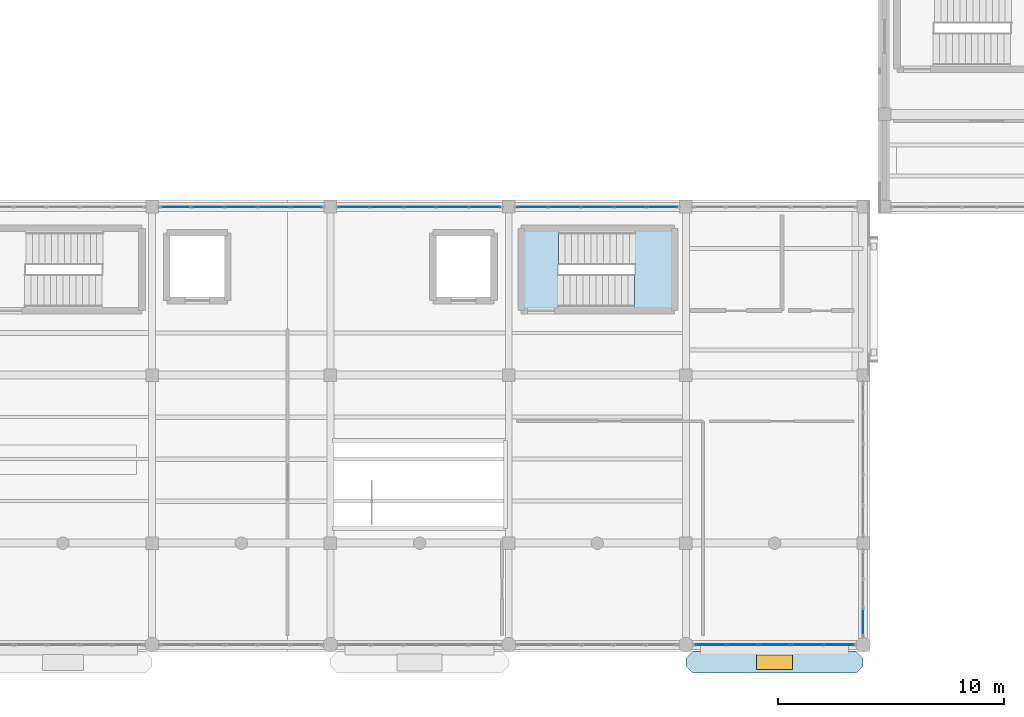
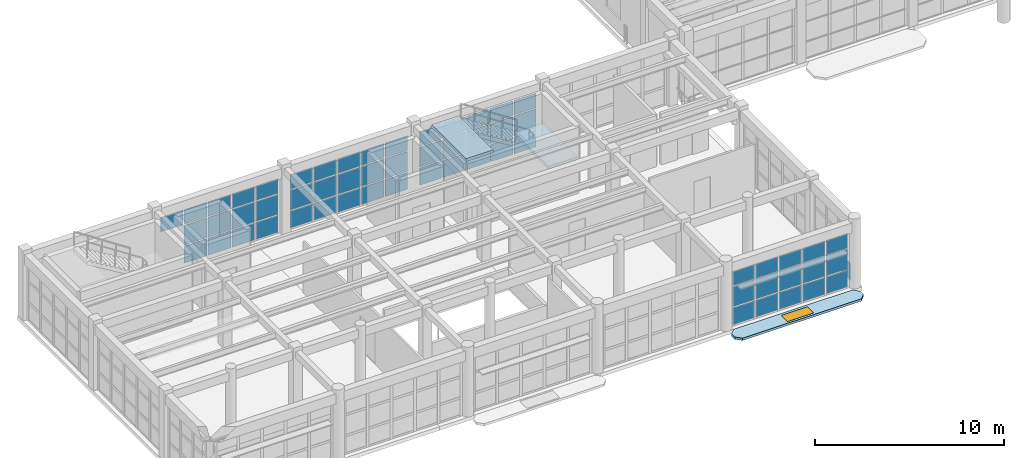
# One storey, part 51 of 85: 59 plates, 3 slabs, 1 window, 1 opening, 6 elements without a shape of their own.
"""IFC4 building model written with IfcOpenShell, lengths in metres."""

from ifc_helpers import new_model, si_unit, direction, frame, origin, origin_2d, place, context, subcontext, project, spatial, polyline, rectangle, outline, extrude, material, layer, layer_set, type_object, element, fill, aggregate, save


model = new_model("IFC4")

# Units and contexts
model_context = context("Model", 3, precision=1e-05, world=origin(), true_north=direction((0.0, 1.0)))
body_context = subcontext(model_context, "Body", "Model", "MODEL_VIEW")
ifc_project = project(units=[si_unit("LENGTHUNIT", "METRE"), si_unit("AREAUNIT", "SQUARE_METRE"), si_unit("VOLUMEUNIT", "CUBIC_METRE"), si_unit("PLANEANGLEUNIT", "RADIAN"), si_unit("MASSUNIT", "GRAM", prefix="KILO")], contexts=[model_context])

# Site, building, storey
site_placement = place(None, origin())
site = spatial("IfcSite", under=ifc_project, at=site_placement, CompositionType="ELEMENT")
building_placement = place(site_placement, origin())
building = spatial("IfcBuilding", under=site, at=building_placement, Name="Candilejo Ridge Gondola Terminal", CompositionType="ELEMENT")
storey_placement = place(building_placement, frame((0.0, 0.0, 4.5)))
storey = spatial("IfcBuildingStorey", under=building, at=storey_placement, Name="L01", CompositionType="ELEMENT", Elevation=4.5)

# Curtain wall, plates
ifc_material_1 = material(Name="Anodised aluminium AA 6063-T6", Category="aluminium")
ifc_layer_1 = layer(ifc_material_1, 0.169921875)
ifc_layer_set_1 = layer_set([ifc_layer_1], Name="ARC-CW-CONCOURSE-3600-730X359")
curtain_wall_type_1 = type_object("IfcCurtainWallType", Name="ARC-CW-CONCOURSE-3600-730X359", PredefinedType="NOTDEFINED", material=ifc_layer_set_1)
curtain_wall_1_placement = place(storey_placement, origin())
curtain_wall_1 = element("IfcCurtainWall", 1, at=curtain_wall_1_placement, inside=storey, type_object=curtain_wall_type_1, Name="Curtain wall V1 L01-006", PredefinedType="NOTDEFINED")
ifc_material_2 = material(Name="Low-E laminated double glazing 6+12A+6+1.52PVB+6 mm", Category="glass")
ifc_layer_2 = layer(ifc_material_2, 0.028076171875)
ifc_layer_set_2 = layer_set([ifc_layer_2], Name="ARC-CW-GLAZ-PANEL")
plate_type = type_object("IfcPlateType", Name="ARC-CW-GLAZ-PANEL", PredefinedType="CURTAIN_PANEL", material=ifc_layer_set_2)
plate_1_placement = place(storey_placement, frame((13.248779296875, 25.699951171875, 2.58740234375), z_axis=(0.0, 0.0, 1.0), x_axis=(1.0, 0.0, 0.0)))
plate_1 = element("IfcPlate", 2, at=plate_1_placement, type_object=plate_type, Name="CW-73X35 panel 1.3", PredefinedType="CURTAIN_PANEL", context=body_context, shape_type="SweptSolid", body=[
    extrude(rectangle(XDim=1.347412109375, YDim=0.028076171875, at=origin_2d()), origin(), (0.0, 0.0, 1.0), 0.927490234375),
])
plate_2_placement = place(storey_placement, frame((14.68994140625, 25.699951171875, 0.074951171875), z_axis=(0.0, 0.0, 1.0), x_axis=(1.0, 0.0, 0.0)))
plate_2 = element("IfcPlate", 3, at=plate_2_placement, type_object=plate_type, Name="CW-73X35 panel 2.1", PredefinedType="CURTAIN_PANEL", context=body_context, shape_type="SweptSolid", body=[
    extrude(rectangle(XDim=1.385009765625, YDim=0.028076171875, at=origin_2d()), origin(), (0.0, 0.0, 1.0), 1.08740234375),
])
plate_3_placement = place(storey_placement, frame((14.68994140625, 25.699951171875, 1.237548828125), z_axis=(0.0, 0.0, 1.0), x_axis=(1.0, 0.0, 0.0)))
plate_3 = element("IfcPlate", 4, at=plate_3_placement, type_object=plate_type, Name="CW-73X35 panel 2.2", PredefinedType="CURTAIN_PANEL", context=body_context, shape_type="SweptSolid", body=[
    extrude(rectangle(XDim=1.385009765625, YDim=0.028076171875, at=origin_2d()), origin(), (0.0, 0.0, 1.0), 1.27490234375),
])
plate_4_placement = place(storey_placement, frame((14.68994140625, 25.699951171875, 2.58740234375), z_axis=(0.0, 0.0, 1.0), x_axis=(1.0, 0.0, 0.0)))
plate_4 = element("IfcPlate", 5, at=plate_4_placement, type_object=plate_type, Name="CW-73X35 panel 2.3", PredefinedType="CURTAIN_PANEL", context=body_context, shape_type="SweptSolid", body=[
    extrude(rectangle(XDim=1.385009765625, YDim=0.028076171875, at=origin_2d()), origin(), (0.0, 0.0, 1.0), 0.927490234375),
])
plate_5_placement = place(storey_placement, frame((16.14990234375, 25.699951171875, 0.074951171875), z_axis=(0.0, 0.0, 1.0), x_axis=(1.0, 0.0, 0.0)))
plate_5 = element("IfcPlate", 6, at=plate_5_placement, type_object=plate_type, Name="CW-73X35 panel 3.1", PredefinedType="CURTAIN_PANEL", context=body_context, shape_type="SweptSolid", body=[
    extrude(rectangle(XDim=1.385009765625, YDim=0.028076171875, at=origin_2d()), origin(), (0.0, 0.0, 1.0), 1.08740234375),
])
plate_6_placement = place(storey_placement, frame((16.14990234375, 25.699951171875, 1.237548828125), z_axis=(0.0, 0.0, 1.0), x_axis=(1.0, 0.0, 0.0)))
plate_6 = element("IfcPlate", 7, at=plate_6_placement, type_object=plate_type, Name="CW-73X35 panel 3.2", PredefinedType="CURTAIN_PANEL", context=body_context, shape_type="SweptSolid", body=[
    extrude(rectangle(XDim=1.385009765625, YDim=0.028076171875, at=origin_2d()), origin(), (0.0, 0.0, 1.0), 1.27490234375),
])
plate_7_placement = place(storey_placement, frame((16.14990234375, 25.699951171875, 2.58740234375), z_axis=(0.0, 0.0, 1.0), x_axis=(1.0, 0.0, 0.0)))
plate_7 = element("IfcPlate", 8, at=plate_7_placement, type_object=plate_type, Name="CW-73X35 panel 3.3", PredefinedType="CURTAIN_PANEL", context=body_context, shape_type="SweptSolid", body=[
    extrude(rectangle(XDim=1.385009765625, YDim=0.028076171875, at=origin_2d()), origin(), (0.0, 0.0, 1.0), 0.927490234375),
])
plate_8_placement = place(storey_placement, frame((17.610107421875, 25.699951171875, 0.074951171875), z_axis=(0.0, 0.0, 1.0), x_axis=(1.0, 0.0, 0.0)))
plate_8 = element("IfcPlate", 9, at=plate_8_placement, type_object=plate_type, Name="CW-73X35 panel 4.1", PredefinedType="CURTAIN_PANEL", context=body_context, shape_type="SweptSolid", body=[
    extrude(rectangle(XDim=1.385009765625, YDim=0.028076171875, at=origin_2d()), origin(), (0.0, 0.0, 1.0), 1.08740234375),
])
plate_9_placement = place(storey_placement, frame((17.610107421875, 25.699951171875, 1.237548828125), z_axis=(0.0, 0.0, 1.0), x_axis=(1.0, 0.0, 0.0)))
plate_9 = element("IfcPlate", 10, at=plate_9_placement, type_object=plate_type, Name="CW-73X35 panel 4.2", PredefinedType="CURTAIN_PANEL", context=body_context, shape_type="SweptSolid", body=[
    extrude(rectangle(XDim=1.385009765625, YDim=0.028076171875, at=origin_2d()), origin(), (0.0, 0.0, 1.0), 1.27490234375),
])
plate_10_placement = place(storey_placement, frame((17.610107421875, 25.699951171875, 2.58740234375), z_axis=(0.0, 0.0, 1.0), x_axis=(1.0, 0.0, 0.0)))
plate_10 = element("IfcPlate", 11, at=plate_10_placement, type_object=plate_type, Name="CW-73X35 panel 4.3", PredefinedType="CURTAIN_PANEL", context=body_context, shape_type="SweptSolid", body=[
    extrude(rectangle(XDim=1.385009765625, YDim=0.028076171875, at=origin_2d()), origin(), (0.0, 0.0, 1.0), 0.927490234375),
])
plate_11_placement = place(storey_placement, frame((19.05126953125, 25.699951171875, 0.074951171875), z_axis=(0.0, 0.0, 1.0), x_axis=(1.0, 0.0, 0.0)))
plate_11 = element("IfcPlate", 12, at=plate_11_placement, type_object=plate_type, Name="CW-73X35 panel 5.1", PredefinedType="CURTAIN_PANEL", context=body_context, shape_type="SweptSolid", body=[
    extrude(rectangle(XDim=1.347412109375, YDim=0.028076171875, at=origin_2d()), origin(), (0.0, 0.0, 1.0), 1.08740234375),
])
plate_12_placement = place(storey_placement, frame((19.05126953125, 25.699951171875, 1.237548828125), z_axis=(0.0, 0.0, 1.0), x_axis=(1.0, 0.0, 0.0)))
plate_12 = element("IfcPlate", 13, at=plate_12_placement, type_object=plate_type, Name="CW-73X35 panel 5.2", PredefinedType="CURTAIN_PANEL", context=body_context, shape_type="SweptSolid", body=[
    extrude(rectangle(XDim=1.347412109375, YDim=0.028076171875, at=origin_2d()), origin(), (0.0, 0.0, 1.0), 1.27490234375),
])
plate_13_placement = place(storey_placement, frame((19.05126953125, 25.699951171875, 2.58740234375), z_axis=(0.0, 0.0, 1.0), x_axis=(1.0, 0.0, 0.0)))
plate_13 = element("IfcPlate", 14, at=plate_13_placement, type_object=plate_type, Name="CW-73X35 panel 5.3", PredefinedType="CURTAIN_PANEL", context=body_context, shape_type="SweptSolid", body=[
    extrude(rectangle(XDim=1.347412109375, YDim=0.028076171875, at=origin_2d()), origin(), (0.0, 0.0, 1.0), 0.927490234375),
])
aggregate(curtain_wall_1, [plate_1, plate_2, plate_3, plate_4, plate_5, plate_6, plate_7, plate_8, plate_9, plate_10, plate_11, plate_12, plate_13])

curtain_wall_2_placement = place(storey_placement, origin())
curtain_wall_2 = element("IfcCurtainWall", 15, at=curtain_wall_2_placement, inside=storey, type_object=curtain_wall_type_1, Name="Curtain wall V1 L01-010", PredefinedType="NOTDEFINED")
plate_14_placement = place(storey_placement, frame((21.148681640625, 25.699951171875, 0.074951171875), z_axis=(0.0, 0.0, 1.0), x_axis=(1.0, 0.0, 0.0)))
plate_14 = element("IfcPlate", 16, at=plate_14_placement, type_object=plate_type, Name="CW-73X35 panel 1.1", PredefinedType="CURTAIN_PANEL", context=body_context, shape_type="SweptSolid", body=[
    extrude(rectangle(XDim=1.347412109375, YDim=0.028076171875, at=origin_2d()), origin(), (0.0, 0.0, 1.0), 1.08740234375),
])
plate_15_placement = place(storey_placement, frame((21.148681640625, 25.699951171875, 1.237548828125), z_axis=(0.0, 0.0, 1.0), x_axis=(1.0, 0.0, 0.0)))
plate_15 = element("IfcPlate", 17, at=plate_15_placement, type_object=plate_type, Name="CW-73X35 panel 1.2", PredefinedType="CURTAIN_PANEL", context=body_context, shape_type="SweptSolid", body=[
    extrude(rectangle(XDim=1.347412109375, YDim=0.028076171875, at=origin_2d()), origin(), (0.0, 0.0, 1.0), 1.27490234375),
])
plate_16_placement = place(storey_placement, frame((21.148681640625, 25.699951171875, 2.58740234375), z_axis=(0.0, 0.0, 1.0), x_axis=(1.0, 0.0, 0.0)))
plate_16 = element("IfcPlate", 18, at=plate_16_placement, type_object=plate_type, Name="CW-73X35 panel 1.3", PredefinedType="CURTAIN_PANEL", context=body_context, shape_type="SweptSolid", body=[
    extrude(rectangle(XDim=1.347412109375, YDim=0.028076171875, at=origin_2d()), origin(), (0.0, 0.0, 1.0), 0.927490234375),
])
plate_17_placement = place(storey_placement, frame((22.590087890625, 25.699951171875, 0.074951171875), z_axis=(0.0, 0.0, 1.0), x_axis=(1.0, 0.0, 0.0)))
plate_17 = element("IfcPlate", 19, at=plate_17_placement, type_object=plate_type, Name="CW-73X35 panel 2.1", PredefinedType="CURTAIN_PANEL", context=body_context, shape_type="SweptSolid", body=[
    extrude(rectangle(XDim=1.385009765625, YDim=0.028076171875, at=origin_2d()), origin(), (0.0, 0.0, 1.0), 1.08740234375),
])
plate_18_placement = place(storey_placement, frame((22.590087890625, 25.699951171875, 1.237548828125), z_axis=(0.0, 0.0, 1.0), x_axis=(1.0, 0.0, 0.0)))
plate_18 = element("IfcPlate", 20, at=plate_18_placement, type_object=plate_type, Name="CW-73X35 panel 2.2", PredefinedType="CURTAIN_PANEL", context=body_context, shape_type="SweptSolid", body=[
    extrude(rectangle(XDim=1.385009765625, YDim=0.028076171875, at=origin_2d()), origin(), (0.0, 0.0, 1.0), 1.27490234375),
])
plate_19_placement = place(storey_placement, frame((22.590087890625, 25.699951171875, 2.58740234375), z_axis=(0.0, 0.0, 1.0), x_axis=(1.0, 0.0, 0.0)))
plate_19 = element("IfcPlate", 21, at=plate_19_placement, type_object=plate_type, Name="CW-73X35 panel 2.3", PredefinedType="CURTAIN_PANEL", context=body_context, shape_type="SweptSolid", body=[
    extrude(rectangle(XDim=1.385009765625, YDim=0.028076171875, at=origin_2d()), origin(), (0.0, 0.0, 1.0), 0.927490234375),
])
plate_20_placement = place(storey_placement, frame((24.050048828125, 25.699951171875, 0.074951171875), z_axis=(0.0, 0.0, 1.0), x_axis=(1.0, 0.0, 0.0)))
plate_20 = element("IfcPlate", 22, at=plate_20_placement, type_object=plate_type, Name="CW-73X35 panel 3.1", PredefinedType="CURTAIN_PANEL", context=body_context, shape_type="SweptSolid", body=[
    extrude(rectangle(XDim=1.385009765625, YDim=0.028076171875, at=origin_2d()), origin(), (0.0, 0.0, 1.0), 1.08740234375),
])
plate_21_placement = place(storey_placement, frame((24.050048828125, 25.699951171875, 1.237548828125), z_axis=(0.0, 0.0, 1.0), x_axis=(1.0, 0.0, 0.0)))
plate_21 = element("IfcPlate", 23, at=plate_21_placement, type_object=plate_type, Name="CW-73X35 panel 3.2", PredefinedType="CURTAIN_PANEL", context=body_context, shape_type="SweptSolid", body=[
    extrude(rectangle(XDim=1.385009765625, YDim=0.028076171875, at=origin_2d()), origin(), (0.0, 0.0, 1.0), 1.27490234375),
])
plate_22_placement = place(storey_placement, frame((24.050048828125, 25.699951171875, 2.58740234375), z_axis=(0.0, 0.0, 1.0), x_axis=(1.0, 0.0, 0.0)))
plate_22 = element("IfcPlate", 24, at=plate_22_placement, type_object=plate_type, Name="CW-73X35 panel 3.3", PredefinedType="CURTAIN_PANEL", context=body_context, shape_type="SweptSolid", body=[
    extrude(rectangle(XDim=1.385009765625, YDim=0.028076171875, at=origin_2d()), origin(), (0.0, 0.0, 1.0), 0.927490234375),
])
plate_23_placement = place(storey_placement, frame((25.510009765625, 25.699951171875, 0.074951171875), z_axis=(0.0, 0.0, 1.0), x_axis=(1.0, 0.0, 0.0)))
plate_23 = element("IfcPlate", 25, at=plate_23_placement, type_object=plate_type, Name="CW-73X35 panel 4.1", PredefinedType="CURTAIN_PANEL", context=body_context, shape_type="SweptSolid", body=[
    extrude(rectangle(XDim=1.385009765625, YDim=0.028076171875, at=origin_2d()), origin(), (0.0, 0.0, 1.0), 1.08740234375),
])
plate_24_placement = place(storey_placement, frame((25.510009765625, 25.699951171875, 1.237548828125), z_axis=(0.0, 0.0, 1.0), x_axis=(1.0, 0.0, 0.0)))
plate_24 = element("IfcPlate", 26, at=plate_24_placement, type_object=plate_type, Name="CW-73X35 panel 4.2", PredefinedType="CURTAIN_PANEL", context=body_context, shape_type="SweptSolid", body=[
    extrude(rectangle(XDim=1.385009765625, YDim=0.028076171875, at=origin_2d()), origin(), (0.0, 0.0, 1.0), 1.27490234375),
])
plate_25_placement = place(storey_placement, frame((25.510009765625, 25.699951171875, 2.58740234375), z_axis=(0.0, 0.0, 1.0), x_axis=(1.0, 0.0, 0.0)))
plate_25 = element("IfcPlate", 27, at=plate_25_placement, type_object=plate_type, Name="CW-73X35 panel 4.3", PredefinedType="CURTAIN_PANEL", context=body_context, shape_type="SweptSolid", body=[
    extrude(rectangle(XDim=1.385009765625, YDim=0.028076171875, at=origin_2d()), origin(), (0.0, 0.0, 1.0), 0.927490234375),
])
plate_26_placement = place(storey_placement, frame((26.951171875, 25.699951171875, 0.074951171875), z_axis=(0.0, 0.0, 1.0), x_axis=(1.0, 0.0, 0.0)))
plate_26 = element("IfcPlate", 28, at=plate_26_placement, type_object=plate_type, Name="CW-73X35 panel 5.1", PredefinedType="CURTAIN_PANEL", context=body_context, shape_type="SweptSolid", body=[
    extrude(rectangle(XDim=1.347412109375, YDim=0.028076171875, at=origin_2d()), origin(), (0.0, 0.0, 1.0), 1.08740234375),
])
plate_27_placement = place(storey_placement, frame((26.951171875, 25.699951171875, 1.237548828125), z_axis=(0.0, 0.0, 1.0), x_axis=(1.0, 0.0, 0.0)))
plate_27 = element("IfcPlate", 29, at=plate_27_placement, type_object=plate_type, Name="CW-73X35 panel 5.2", PredefinedType="CURTAIN_PANEL", context=body_context, shape_type="SweptSolid", body=[
    extrude(rectangle(XDim=1.347412109375, YDim=0.028076171875, at=origin_2d()), origin(), (0.0, 0.0, 1.0), 1.27490234375),
])
plate_28_placement = place(storey_placement, frame((26.951171875, 25.699951171875, 2.58740234375), z_axis=(0.0, 0.0, 1.0), x_axis=(1.0, 0.0, 0.0)))
plate_28 = element("IfcPlate", 30, at=plate_28_placement, type_object=plate_type, Name="CW-73X35 panel 5.3", PredefinedType="CURTAIN_PANEL", context=body_context, shape_type="SweptSolid", body=[
    extrude(rectangle(XDim=1.347412109375, YDim=0.028076171875, at=origin_2d()), origin(), (0.0, 0.0, 1.0), 0.927490234375),
])
aggregate(curtain_wall_2, [plate_14, plate_15, plate_16, plate_17, plate_18, plate_19, plate_20, plate_21, plate_22, plate_23, plate_24, plate_25, plate_26, plate_27, plate_28])

ifc_material_3 = material(Name="Anodised aluminium AA 6063-T6", Category="aluminium")
ifc_layer_3 = layer(ifc_material_3, 0.169921875)
ifc_layer_set_3 = layer_set([ifc_layer_3], Name="ARC-CW-CONCOURSE-3600-725X359")
curtain_wall_type_2 = type_object("IfcCurtainWallType", Name="ARC-CW-CONCOURSE-3600-725X359", PredefinedType="NOTDEFINED", material=ifc_layer_set_3)
curtain_wall_3_placement = place(storey_placement, origin())
curtain_wall_3 = element("IfcCurtainWall", 31, at=curtain_wall_3_placement, inside=storey, type_object=curtain_wall_type_2, Name="Curtain wall V1 L01-014", PredefinedType="NOTDEFINED")
plate_29_placement = place(storey_placement, frame((29.043701171875, 25.699951171875, 0.074951171875), z_axis=(0.0, 0.0, 1.0), x_axis=(1.0, 0.0, 0.0)))
plate_29 = element("IfcPlate", 32, at=plate_29_placement, type_object=plate_type, Name="CW-72X35 panel 1.1", PredefinedType="CURTAIN_PANEL", context=body_context, shape_type="SweptSolid", body=[
    extrude(rectangle(XDim=1.33740234375, YDim=0.028076171875, at=origin_2d()), origin(), (0.0, 0.0, 1.0), 1.08740234375),
])
plate_30_placement = place(storey_placement, frame((29.043701171875, 25.699951171875, 1.237548828125), z_axis=(0.0, 0.0, 1.0), x_axis=(1.0, 0.0, 0.0)))
plate_30 = element("IfcPlate", 33, at=plate_30_placement, type_object=plate_type, Name="CW-72X35 panel 1.2", PredefinedType="CURTAIN_PANEL", context=body_context, shape_type="SweptSolid", body=[
    extrude(rectangle(XDim=1.33740234375, YDim=0.028076171875, at=origin_2d()), origin(), (0.0, 0.0, 1.0), 1.27490234375),
])
plate_31_placement = place(storey_placement, frame((29.043701171875, 25.699951171875, 2.58740234375), z_axis=(0.0, 0.0, 1.0), x_axis=(1.0, 0.0, 0.0)))
plate_31 = element("IfcPlate", 34, at=plate_31_placement, type_object=plate_type, Name="CW-72X35 panel 1.3", PredefinedType="CURTAIN_PANEL", context=body_context, shape_type="SweptSolid", body=[
    extrude(rectangle(XDim=1.33740234375, YDim=0.028076171875, at=origin_2d()), origin(), (0.0, 0.0, 1.0), 0.927490234375),
])
plate_32_placement = place(storey_placement, frame((30.47509765625, 25.699951171875, 0.074951171875), z_axis=(0.0, 0.0, 1.0), x_axis=(1.0, 0.0, 0.0)))
plate_32 = element("IfcPlate", 35, at=plate_32_placement, type_object=plate_type, Name="CW-72X35 panel 2.1", PredefinedType="CURTAIN_PANEL", context=body_context, shape_type="SweptSolid", body=[
    extrude(rectangle(XDim=1.375, YDim=0.028076171875, at=origin_2d()), origin(), (0.0, 0.0, 1.0), 1.08740234375),
])
plate_33_placement = place(storey_placement, frame((30.47509765625, 25.699951171875, 1.237548828125), z_axis=(0.0, 0.0, 1.0), x_axis=(1.0, 0.0, 0.0)))
plate_33 = element("IfcPlate", 36, at=plate_33_placement, type_object=plate_type, Name="CW-72X35 panel 2.2", PredefinedType="CURTAIN_PANEL", context=body_context, shape_type="SweptSolid", body=[
    extrude(rectangle(XDim=1.375, YDim=0.028076171875, at=origin_2d()), origin(), (0.0, 0.0, 1.0), 1.27490234375),
])
plate_34_placement = place(storey_placement, frame((30.47509765625, 25.699951171875, 2.58740234375), z_axis=(0.0, 0.0, 1.0), x_axis=(1.0, 0.0, 0.0)))
plate_34 = element("IfcPlate", 37, at=plate_34_placement, type_object=plate_type, Name="CW-72X35 panel 2.3", PredefinedType="CURTAIN_PANEL", context=body_context, shape_type="SweptSolid", body=[
    extrude(rectangle(XDim=1.375, YDim=0.028076171875, at=origin_2d()), origin(), (0.0, 0.0, 1.0), 0.927490234375),
])
plate_35_placement = place(storey_placement, frame((31.925048828125, 25.699951171875, 0.074951171875), z_axis=(0.0, 0.0, 1.0), x_axis=(1.0, 0.0, 0.0)))
plate_35 = element("IfcPlate", 38, at=plate_35_placement, type_object=plate_type, Name="CW-72X35 panel 3.1", PredefinedType="CURTAIN_PANEL", context=body_context, shape_type="SweptSolid", body=[
    extrude(rectangle(XDim=1.375, YDim=0.028076171875, at=origin_2d()), origin(), (0.0, 0.0, 1.0), 1.08740234375),
])
plate_36_placement = place(storey_placement, frame((31.925048828125, 25.699951171875, 1.237548828125), z_axis=(0.0, 0.0, 1.0), x_axis=(1.0, 0.0, 0.0)))
plate_36 = element("IfcPlate", 39, at=plate_36_placement, type_object=plate_type, Name="CW-72X35 panel 3.2", PredefinedType="CURTAIN_PANEL", context=body_context, shape_type="SweptSolid", body=[
    extrude(rectangle(XDim=1.375, YDim=0.028076171875, at=origin_2d()), origin(), (0.0, 0.0, 1.0), 1.27490234375),
])
plate_37_placement = place(storey_placement, frame((31.925048828125, 25.699951171875, 2.58740234375), z_axis=(0.0, 0.0, 1.0), x_axis=(1.0, 0.0, 0.0)))
plate_37 = element("IfcPlate", 40, at=plate_37_placement, type_object=plate_type, Name="CW-72X35 panel 3.3", PredefinedType="CURTAIN_PANEL", context=body_context, shape_type="SweptSolid", body=[
    extrude(rectangle(XDim=1.375, YDim=0.028076171875, at=origin_2d()), origin(), (0.0, 0.0, 1.0), 0.927490234375),
])
plate_38_placement = place(storey_placement, frame((33.375, 25.699951171875, 0.074951171875), z_axis=(0.0, 0.0, 1.0), x_axis=(1.0, 0.0, 0.0)))
plate_38 = element("IfcPlate", 41, at=plate_38_placement, type_object=plate_type, Name="CW-72X35 panel 4.1", PredefinedType="CURTAIN_PANEL", context=body_context, shape_type="SweptSolid", body=[
    extrude(rectangle(XDim=1.375, YDim=0.028076171875, at=origin_2d()), origin(), (0.0, 0.0, 1.0), 1.08740234375),
])
plate_39_placement = place(storey_placement, frame((33.375, 25.699951171875, 1.237548828125), z_axis=(0.0, 0.0, 1.0), x_axis=(1.0, 0.0, 0.0)))
plate_39 = element("IfcPlate", 42, at=plate_39_placement, type_object=plate_type, Name="CW-72X35 panel 4.2", PredefinedType="CURTAIN_PANEL", context=body_context, shape_type="SweptSolid", body=[
    extrude(rectangle(XDim=1.375, YDim=0.028076171875, at=origin_2d()), origin(), (0.0, 0.0, 1.0), 1.27490234375),
])
plate_40_placement = place(storey_placement, frame((33.375, 25.699951171875, 2.58740234375), z_axis=(0.0, 0.0, 1.0), x_axis=(1.0, 0.0, 0.0)))
plate_40 = element("IfcPlate", 43, at=plate_40_placement, type_object=plate_type, Name="CW-72X35 panel 4.3", PredefinedType="CURTAIN_PANEL", context=body_context, shape_type="SweptSolid", body=[
    extrude(rectangle(XDim=1.375, YDim=0.028076171875, at=origin_2d()), origin(), (0.0, 0.0, 1.0), 0.927490234375),
])
plate_41_placement = place(storey_placement, frame((34.80615234375, 25.699951171875, 0.074951171875), z_axis=(0.0, 0.0, 1.0), x_axis=(1.0, 0.0, 0.0)))
plate_41 = element("IfcPlate", 44, at=plate_41_placement, type_object=plate_type, Name="CW-72X35 panel 5.1", PredefinedType="CURTAIN_PANEL", context=body_context, shape_type="SweptSolid", body=[
    extrude(rectangle(XDim=1.33740234375, YDim=0.028076171875, at=origin_2d()), origin(), (0.0, 0.0, 1.0), 1.08740234375),
])
plate_42_placement = place(storey_placement, frame((34.80615234375, 25.699951171875, 1.237548828125), z_axis=(0.0, 0.0, 1.0), x_axis=(1.0, 0.0, 0.0)))
plate_42 = element("IfcPlate", 45, at=plate_42_placement, type_object=plate_type, Name="CW-72X35 panel 5.2", PredefinedType="CURTAIN_PANEL", context=body_context, shape_type="SweptSolid", body=[
    extrude(rectangle(XDim=1.33740234375, YDim=0.028076171875, at=origin_2d()), origin(), (0.0, 0.0, 1.0), 1.27490234375),
])
plate_43_placement = place(storey_placement, frame((34.80615234375, 25.699951171875, 2.58740234375), z_axis=(0.0, 0.0, 1.0), x_axis=(1.0, 0.0, 0.0)))
plate_43 = element("IfcPlate", 46, at=plate_43_placement, type_object=plate_type, Name="CW-72X35 panel 5.3", PredefinedType="CURTAIN_PANEL", context=body_context, shape_type="SweptSolid", body=[
    extrude(rectangle(XDim=1.33740234375, YDim=0.028076171875, at=origin_2d()), origin(), (0.0, 0.0, 1.0), 0.927490234375),
])
aggregate(curtain_wall_3, [plate_29, plate_30, plate_31, plate_32, plate_33, plate_34, plate_35, plate_36, plate_37, plate_38, plate_39, plate_40, plate_41, plate_42, plate_43])

ifc_material_4 = material(Name="Anodised aluminium AA 6063-T6", Category="aluminium")
ifc_layer_4 = layer(ifc_material_4, 0.169921875)
ifc_layer_set_4 = layer_set([ifc_layer_4], Name="ARC-CW-CONCOURSE-3600-715X359")
curtain_wall_type_3 = type_object("IfcCurtainWallType", Name="ARC-CW-CONCOURSE-3600-715X359", PredefinedType="NOTDEFINED", material=ifc_layer_set_4)
curtain_wall_4_placement = place(storey_placement, origin())
curtain_wall_4 = element("IfcCurtainWall", 47, at=curtain_wall_4_placement, inside=storey, type_object=curtain_wall_type_3, Name="Curtain wall V1 L01-017", PredefinedType="NOTDEFINED")
plate_44_placement = place(storey_placement, frame((36.933837890625, 6.300048828125, 0.074951171875), z_axis=(0.0, 0.0, 1.0), x_axis=(1.0, 0.0, 0.0)))
plate_44 = element("IfcPlate", 48, at=plate_44_placement, type_object=plate_type, Name="CW-71X35 panel 1.1", PredefinedType="CURTAIN_PANEL", context=body_context, shape_type="SweptSolid", body=[
    extrude(rectangle(XDim=1.3173828125, YDim=0.028076171875, at=origin_2d()), origin(), (0.0, 0.0, 1.0), 1.08740234375),
])
plate_45_placement = place(storey_placement, frame((36.933837890625, 6.300048828125, 1.237548828125), z_axis=(0.0, 0.0, 1.0), x_axis=(1.0, 0.0, 0.0)))
plate_45 = element("IfcPlate", 49, at=plate_45_placement, type_object=plate_type, Name="CW-71X35 panel 1.2", PredefinedType="CURTAIN_PANEL", context=body_context, shape_type="SweptSolid", body=[
    extrude(rectangle(XDim=1.3173828125, YDim=0.028076171875, at=origin_2d()), origin(), (0.0, 0.0, 1.0), 1.27490234375),
])
plate_46_placement = place(storey_placement, frame((36.933837890625, 6.300048828125, 2.58740234375), z_axis=(0.0, 0.0, 1.0), x_axis=(1.0, 0.0, 0.0)))
plate_46 = element("IfcPlate", 50, at=plate_46_placement, type_object=plate_type, Name="CW-71X35 panel 1.3", PredefinedType="CURTAIN_PANEL", context=body_context, shape_type="SweptSolid", body=[
    extrude(rectangle(XDim=1.3173828125, YDim=0.028076171875, at=origin_2d()), origin(), (0.0, 0.0, 1.0), 0.927490234375),
])
plate_47_placement = place(storey_placement, frame((38.344970703125, 6.300048828125, 0.074951171875), z_axis=(0.0, 0.0, 1.0), x_axis=(1.0, 0.0, 0.0)))
plate_47 = element("IfcPlate", 51, at=plate_47_placement, type_object=plate_type, Name="CW-71X35 panel 2.1", PredefinedType="CURTAIN_PANEL", context=body_context, shape_type="SweptSolid", body=[
    extrude(rectangle(XDim=1.35498046875, YDim=0.028076171875, at=origin_2d()), origin(), (0.0, 0.0, 1.0), 1.08740234375),
])
plate_48_placement = place(storey_placement, frame((38.344970703125, 6.300048828125, 1.237548828125), z_axis=(0.0, 0.0, 1.0), x_axis=(1.0, 0.0, 0.0)))
plate_48 = element("IfcPlate", 52, at=plate_48_placement, type_object=plate_type, Name="CW-71X35 panel 2.2", PredefinedType="CURTAIN_PANEL", context=body_context, shape_type="SweptSolid", body=[
    extrude(rectangle(XDim=1.35498046875, YDim=0.028076171875, at=origin_2d()), origin(), (0.0, 0.0, 1.0), 1.27490234375),
])
plate_49_placement = place(storey_placement, frame((38.344970703125, 6.300048828125, 2.58740234375), z_axis=(0.0, 0.0, 1.0), x_axis=(1.0, 0.0, 0.0)))
plate_49 = element("IfcPlate", 53, at=plate_49_placement, type_object=plate_type, Name="CW-71X35 panel 2.3", PredefinedType="CURTAIN_PANEL", context=body_context, shape_type="SweptSolid", body=[
    extrude(rectangle(XDim=1.35498046875, YDim=0.028076171875, at=origin_2d()), origin(), (0.0, 0.0, 1.0), 0.927490234375),
])
plate_50_placement = place(storey_placement, frame((39.77490234375, 6.300048828125, 0.074951171875), z_axis=(0.0, 0.0, 1.0), x_axis=(1.0, 0.0, 0.0)))
plate_50 = element("IfcPlate", 54, at=plate_50_placement, type_object=plate_type, Name="CW-71X35 panel 3.1", PredefinedType="CURTAIN_PANEL", context=body_context, shape_type="SweptSolid", body=[
    extrude(rectangle(XDim=1.35498046875, YDim=0.028076171875, at=origin_2d()), origin(), (0.0, 0.0, 1.0), 1.08740234375),
])
plate_51_placement = place(storey_placement, frame((39.77490234375, 6.300048828125, 1.237548828125), z_axis=(0.0, 0.0, 1.0), x_axis=(1.0, 0.0, 0.0)))
plate_51 = element("IfcPlate", 55, at=plate_51_placement, type_object=plate_type, Name="CW-71X35 panel 3.2", PredefinedType="CURTAIN_PANEL", context=body_context, shape_type="SweptSolid", body=[
    extrude(rectangle(XDim=1.35498046875, YDim=0.028076171875, at=origin_2d()), origin(), (0.0, 0.0, 1.0), 1.27490234375),
])
plate_52_placement = place(storey_placement, frame((39.77490234375, 6.300048828125, 2.58740234375), z_axis=(0.0, 0.0, 1.0), x_axis=(1.0, 0.0, 0.0)))
plate_52 = element("IfcPlate", 56, at=plate_52_placement, type_object=plate_type, Name="CW-71X35 panel 3.3", PredefinedType="CURTAIN_PANEL", context=body_context, shape_type="SweptSolid", body=[
    extrude(rectangle(XDim=1.35498046875, YDim=0.028076171875, at=origin_2d()), origin(), (0.0, 0.0, 1.0), 0.927490234375),
])
plate_53_placement = place(storey_placement, frame((41.205078125, 6.300048828125, 0.074951171875), z_axis=(0.0, 0.0, 1.0), x_axis=(1.0, 0.0, 0.0)))
plate_53 = element("IfcPlate", 57, at=plate_53_placement, type_object=plate_type, Name="CW-71X35 panel 4.1", PredefinedType="CURTAIN_PANEL", context=body_context, shape_type="SweptSolid", body=[
    extrude(rectangle(XDim=1.35498046875, YDim=0.028076171875, at=origin_2d()), origin(), (0.0, 0.0, 1.0), 1.08740234375),
])
plate_54_placement = place(storey_placement, frame((41.205078125, 6.300048828125, 1.237548828125), z_axis=(0.0, 0.0, 1.0), x_axis=(1.0, 0.0, 0.0)))
plate_54 = element("IfcPlate", 58, at=plate_54_placement, type_object=plate_type, Name="CW-71X35 panel 4.2", PredefinedType="CURTAIN_PANEL", context=body_context, shape_type="SweptSolid", body=[
    extrude(rectangle(XDim=1.35498046875, YDim=0.028076171875, at=origin_2d()), origin(), (0.0, 0.0, 1.0), 1.27490234375),
])
plate_55_placement = place(storey_placement, frame((41.205078125, 6.300048828125, 2.58740234375), z_axis=(0.0, 0.0, 1.0), x_axis=(1.0, 0.0, 0.0)))
plate_55 = element("IfcPlate", 59, at=plate_55_placement, type_object=plate_type, Name="CW-71X35 panel 4.3", PredefinedType="CURTAIN_PANEL", context=body_context, shape_type="SweptSolid", body=[
    extrude(rectangle(XDim=1.35498046875, YDim=0.028076171875, at=origin_2d()), origin(), (0.0, 0.0, 1.0), 0.927490234375),
])
plate_56_placement = place(storey_placement, frame((42.6162109375, 6.300048828125, 0.074951171875), z_axis=(0.0, 0.0, 1.0), x_axis=(1.0, 0.0, 0.0)))
plate_56 = element("IfcPlate", 60, at=plate_56_placement, type_object=plate_type, Name="CW-71X35 panel 5.1", PredefinedType="CURTAIN_PANEL", context=body_context, shape_type="SweptSolid", body=[
    extrude(rectangle(XDim=1.3173828125, YDim=0.028076171875, at=origin_2d()), origin(), (0.0, 0.0, 1.0), 1.08740234375),
])
plate_57_placement = place(storey_placement, frame((42.6162109375, 6.300048828125, 1.237548828125), z_axis=(0.0, 0.0, 1.0), x_axis=(1.0, 0.0, 0.0)))
plate_57 = element("IfcPlate", 61, at=plate_57_placement, type_object=plate_type, Name="CW-71X35 panel 5.2", PredefinedType="CURTAIN_PANEL", context=body_context, shape_type="SweptSolid", body=[
    extrude(rectangle(XDim=1.3173828125, YDim=0.028076171875, at=origin_2d()), origin(), (0.0, 0.0, 1.0), 1.27490234375),
])
plate_58_placement = place(storey_placement, frame((42.6162109375, 6.300048828125, 2.58740234375), z_axis=(0.0, 0.0, 1.0), x_axis=(1.0, 0.0, 0.0)))
plate_58 = element("IfcPlate", 62, at=plate_58_placement, type_object=plate_type, Name="CW-71X35 panel 5.3", PredefinedType="CURTAIN_PANEL", context=body_context, shape_type="SweptSolid", body=[
    extrude(rectangle(XDim=1.3173828125, YDim=0.028076171875, at=origin_2d()), origin(), (0.0, 0.0, 1.0), 0.927490234375),
])
aggregate(curtain_wall_4, [plate_44, plate_45, plate_46, plate_47, plate_48, plate_49, plate_50, plate_51, plate_52, plate_53, plate_54, plate_55, plate_56, plate_57, plate_58])

# Curtain wall, plate
ifc_material_5 = material(Name="Anodised aluminium AA 6063-T6", Category="aluminium")
ifc_layer_5 = layer(ifc_material_5, 0.169921875)
ifc_layer_set_5 = layer_set([ifc_layer_5], Name="ARC-CW-CONCOURSE-3600-385X359")
curtain_wall_type_4 = type_object("IfcCurtainWallType", Name="ARC-CW-CONCOURSE-3600-385X359", PredefinedType="NOTDEFINED", material=ifc_layer_set_5)
curtain_wall_5_placement = place(storey_placement, origin())
curtain_wall_5 = element("IfcCurtainWall", 63, at=curtain_wall_5_placement, inside=storey, type_object=curtain_wall_type_4, Name="Curtain wall V1 L01-024", PredefinedType="NOTDEFINED")
plate_59_placement = place(storey_placement, frame((43.699951171875, 7.310302734375, 0.074951171875), z_axis=(0.0, 0.0, 1.0), x_axis=(0.0, 1.0, 0.0)))
plate_59 = element("IfcPlate", 64, at=plate_59_placement, type_object=plate_type, Name="CW-38X35 panel 1.1", PredefinedType="CURTAIN_PANEL", context=body_context, shape_type="SweptSolid", body=[
    extrude(rectangle(XDim=1.1708984375, YDim=0.028076171875, at=origin_2d()), origin(), (0.0, 0.0, 1.0), 1.08740234375),
])
aggregate(curtain_wall_5, [plate_59])

# Slab, opening, window
ifc_material_6 = material(Name="Concrete f'c 35 MPa (C35/45)", Category="concrete")
ifc_layer_6 = layer(ifc_material_6, 0.14990234375)
ifc_layer_set_6 = layer_set([ifc_layer_6], Name="STR-CANOPY-DECK-150")
slab_type_1 = type_object("IfcSlabType", Name="STR-CANOPY-DECK-150", PredefinedType="USERDEFINED", material=ifc_layer_set_6)
slab_1_placement = place(storey_placement, frame((0.0, 0.0, -0.14990234375)))
slab_1 = element("IfcSlab", 65, at=slab_1_placement, inside=storey, type_object=slab_type_1, Name="Slab CN-V1-E", ObjectType="CANOPY DECK", PredefinedType="USERDEFINED", context=body_context, shape_type="SweptSolid", body=[
    extrude(outline(polyline([(36.154052734375, 5.050048828125), (43.39599609375, 5.050048828125), (43.699951171875, 5.35400390625), (43.699951171875, 5.696044921875), (43.39599609375, 6.0), (36.154052734375, 6.0), (35.85009765625, 5.696044921875), (35.85009765625, 5.35400390625), (36.154052734375, 5.050048828125)])), origin(), (0.0, 0.0, 1.0), 0.14990234375),
])
opening_placement = place(slab_1_placement, frame((39.77490234375, 5.52001953125, 0.0)))
opening = element("IfcOpeningElement", 66, at=opening_placement, cuts=slab_1, Name="Opening SK-03", PredefinedType="OPENING", context=body_context, shape_type="SweptSolid", body=[
    extrude(rectangle(XDim=1.60009765625, YDim=0.64990234375, at=origin_2d()), origin(), (0.0, 0.0, 1.0), 0.14990234375),
])
ifc_material_7 = material(Name="Laminated solar-control skylight double glazing", Category="glass")
window_type = type_object("IfcWindowType", Name="ARC-SKYLIGHT-1600", PartitioningType="SINGLE_PANEL", PredefinedType="SKYLIGHT", material=ifc_material_7)
window_placement = place(opening_placement, frame((0.0, 0.0, 0.099853515625)))
window = element("IfcWindow", 67, at=window_placement, inside=storey, type_object=window_type, Name="Canopy daylight skylight SKY-03", OverallHeight=0.64990234375, OverallWidth=1.60009765625, PartitioningType="SINGLE_PANEL", PredefinedType="SKYLIGHT", context=body_context, shape_type="SweptSolid", body=[
    extrude(rectangle(XDim=1.60009765625, YDim=0.64990234375, at=origin_2d()), origin(), (0.0, 0.0, 1.0), 0.050048828125),
])
fill(opening, window)

# Stair, slabs
ifc_material_8 = material(Name="Concrete f'c 35 MPa (C35/45)", Category="concrete")
stair_type = type_object("IfcStairType", Name="STR-STAIR-1450-4500", PredefinedType="HALF_TURN_STAIR", material=ifc_material_8)
stair_placement = place(storey_placement, origin())
stair = element("IfcStair", 68, at=stair_placement, inside=storey, type_object=stair_type, Name="Enclosed fire exit stair ST-V1B-L01", PredefinedType="HALF_TURN_STAIR")
ifc_material_9 = material(Name="Concrete f'c 35 MPa (C35/45)", Category="concrete")
ifc_layer_7 = layer(ifc_material_9, 0.199951171875)
ifc_layer_set_7 = layer_set([ifc_layer_7], Name="STR-STAIR-LANDING-200")
slab_type_2 = type_object("IfcSlabType", Name="STR-STAIR-LANDING-200", PredefinedType="LANDING", material=ifc_layer_set_7)
slab_2_placement = place(storey_placement, frame((0.0, 0.0, 2.050048828125)))
slab_2 = element("IfcSlab", 69, at=slab_2_placement, type_object=slab_type_2, Name="Stair half-landing ST-V1B-LND-02", PredefinedType="LANDING", context=body_context, shape_type="SweptSolid", body=[
    extrude(outline(polyline([(33.570068359375, 21.10009765625), (35.35009765625, 21.10009765625), (35.35009765625, 24.75), (33.570068359375, 24.75), (33.570068359375, 21.10009765625)])), origin(), (0.0, 0.0, 1.0), 0.199951171875),
])
slab_3_placement = place(storey_placement, frame((0.0, 0.0, 4.300048828125)))
slab_3 = element("IfcSlab", 70, at=slab_3_placement, type_object=slab_type_2, Name="Stair floor landing ST-V1B-L01-ARR-L02", PredefinedType="LANDING", context=body_context, shape_type="SweptSolid", body=[
    extrude(outline(polyline([(28.550048828125, 21.10009765625), (30.2099609375, 21.10009765625), (30.2099609375, 24.75), (28.550048828125, 24.75), (28.550048828125, 21.10009765625)])), origin(), (0.0, 0.0, 1.0), 0.199951171875),
])
aggregate(stair, [slab_2, slab_3])

save(model, "model.ifc")
